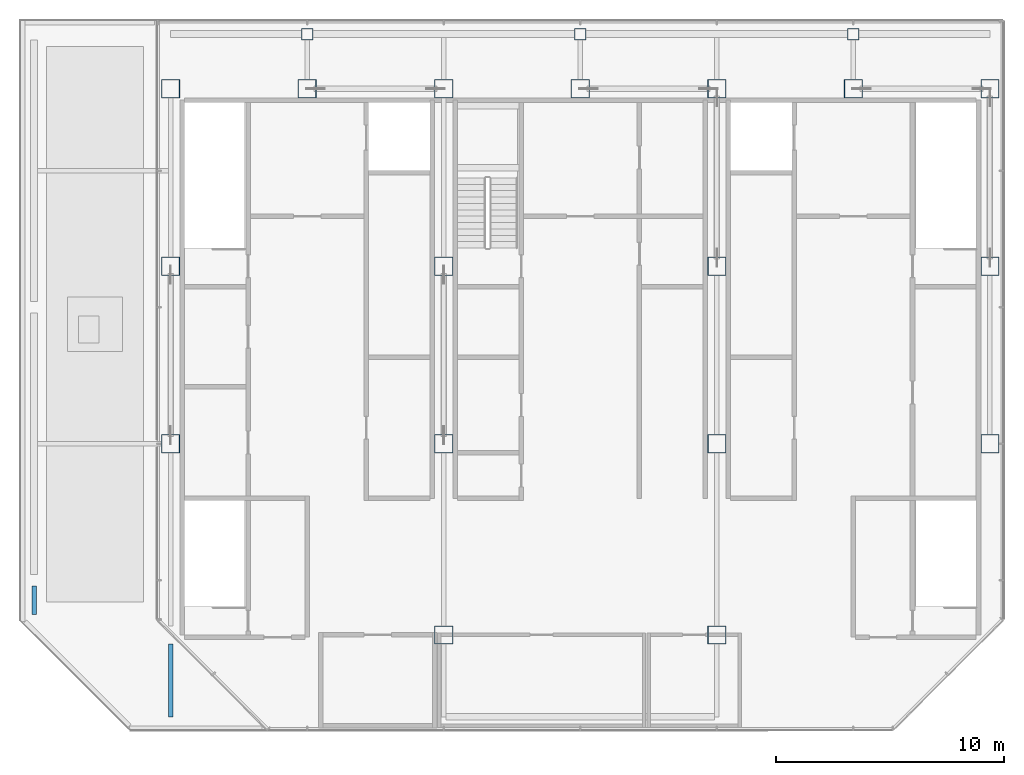
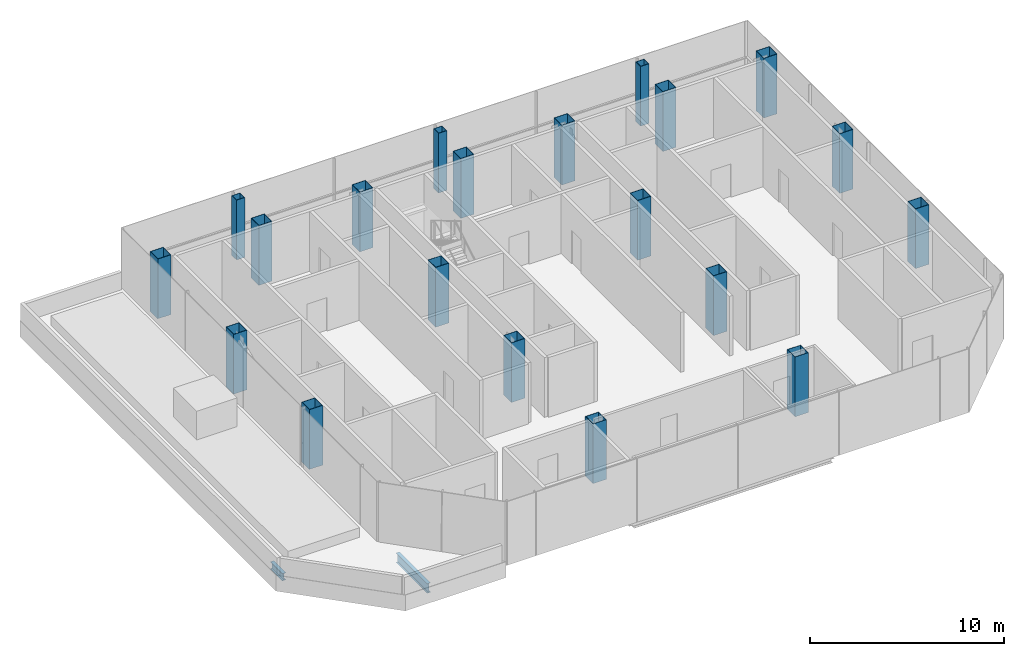
# One storey, part 1 of 12: 20 columns, 2 beams.
"""IFC4 building model written with IfcOpenShell, lengths in metres."""

from ifc_helpers import new_model, si_unit, direction, frame, origin, origin_2d, place, context, subcontext, project, spatial, hollow_rectangle, i_section, extrude, material, material_profile, profile_set, type_object, element, save


model = new_model("IFC4")

# Units and contexts
model_context = context("Model", 3, precision=1e-05, world=origin(), true_north=direction((0.0, 1.0)))
body_context = subcontext(model_context, "Body", "Model", "MODEL_VIEW")
ifc_project = project(units=[si_unit("LENGTHUNIT", "METRE"), si_unit("AREAUNIT", "SQUARE_METRE"), si_unit("VOLUMEUNIT", "CUBIC_METRE"), si_unit("PLANEANGLEUNIT", "RADIAN"), si_unit("MASSUNIT", "GRAM", prefix="KILO")], contexts=[model_context])

# Site, building, storey
site_placement = place(None, origin())
site = spatial("IfcSite", under=ifc_project, at=site_placement, CompositionType="ELEMENT")
building_placement = place(site_placement, origin())
building = spatial("IfcBuilding", under=site, at=building_placement, Name="Sorahane Residences", CompositionType="ELEMENT")
storey_placement = place(building_placement, frame((0.0, 0.0, 353.800048828125)))
storey = spatial("IfcBuildingStorey", under=building, at=storey_placement, Name="L84", CompositionType="ELEMENT", Elevation=353.800048828125)

# Columns
ifc_material_1 = material(Name="Steel Q355B", Category="steel")
ifc_material_profile_1 = material_profile(ifc_material_1, hollow_rectangle(XDim=0.5, YDim=0.5, WallThickness=0.02490234375, at=origin_2d()), Name="BOX 500x500x25")
ifc_profile_set_1 = profile_set([ifc_material_profile_1], Name="Steel Q355B")
column_type_1 = type_object("IfcColumnType", Name="Steel box column BOX 500x500x25 Q355B", PredefinedType="COLUMN", material=ifc_profile_set_1)
for number, where, z_axis, x_axis, name in (
    (1, (12.0, 48.0, 0.0), (0.0, 0.0, 1.0), (1.0, 0.0, 0.0), "Column L84 12/48"),
    (2, (24.0, 48.0, 0.0), (0.0, 0.0, 1.0), (1.0, 0.0, 0.0), "Column L84 24/48"),
    (3, (36.0, 48.0, 0.0), (0.0, 0.0, 1.0), (1.0, 0.0, 0.0), "Column L84 36/48"),
):
    element("IfcColumn", number, at=place(storey_placement, frame(where, z_axis=z_axis, x_axis=x_axis)), inside=storey, type_object=column_type_1, Name=name, PredefinedType="COLUMN", context=body_context, shape_type="SweptSolid", body=[
        extrude(hollow_rectangle(XDim=0.5, YDim=0.5, WallThickness=0.02490234375, at=origin_2d()), origin(), (0.0, 0.0, 1.0), 3.75),
    ])
ifc_material_2 = material(Name="Steel Q355B", Category="steel")
ifc_material_profile_2 = material_profile(ifc_material_2, hollow_rectangle(XDim=0.800048828125, YDim=0.800048828125, WallThickness=0.02490234375, at=origin_2d()), Name="BOX 800x800x25")
ifc_profile_set_2 = profile_set([ifc_material_profile_2], Name="Steel Q355B")
column_type_2 = type_object("IfcColumnType", Name="Steel box column BOX 800x800x25 Q355B", PredefinedType="COLUMN", material=ifc_profile_set_2)
for number, where, z_axis, x_axis, name in (
    (4, (6.0, 30.0, 0.0), (0.0, 0.0, 1.0), (1.0, 0.0, 0.0), "Column L84 6/30"),
    (5, (6.0, 37.800048828125, 0.0), (0.0, 0.0, 1.0), (1.0, 0.0, 0.0), "Column L84 6/37.8"),
    (6, (6.0, 45.60009765625, 0.0), (0.0, 0.0, 1.0), (1.0, 0.0, 0.0), "Column L84 6/45.6"),
    (7, (12.0, 45.60009765625, 0.0), (0.0, 0.0, 1.0), (1.0, 0.0, 0.0), "Column L84 12/45.6"),
    (8, (18.0, 21.60009765625, 0.0), (0.0, 0.0, 1.0), (1.0, 0.0, 0.0), "Column L84 18/21.6"),
    (9, (18.0, 30.0, 0.0), (0.0, 0.0, 1.0), (1.0, 0.0, 0.0), "Column L84 18/30"),
    (10, (18.0, 37.800048828125, 0.0), (0.0, 0.0, 1.0), (1.0, 0.0, 0.0), "Column L84 18/37.8"),
    (11, (18.0, 45.60009765625, 0.0), (0.0, 0.0, 1.0), (1.0, 0.0, 0.0), "Column L84 18/45.6"),
    (12, (24.0, 45.60009765625, 0.0), (0.0, 0.0, 1.0), (1.0, 0.0, 0.0), "Column L84 24/45.6"),
    (13, (30.0, 21.60009765625, 0.0), (0.0, 0.0, 1.0), (1.0, 0.0, 0.0), "Column L84 30/21.6"),
    (14, (30.0, 30.0, 0.0), (0.0, 0.0, 1.0), (1.0, 0.0, 0.0), "Column L84 30/30"),
    (15, (30.0, 37.800048828125, 0.0), (0.0, 0.0, 1.0), (1.0, 0.0, 0.0), "Column L84 30/37.8"),
    (16, (30.0, 45.60009765625, 0.0), (0.0, 0.0, 1.0), (1.0, 0.0, 0.0), "Column L84 30/45.6"),
    (17, (36.0, 45.60009765625, 0.0), (0.0, 0.0, 1.0), (1.0, 0.0, 0.0), "Column L84 36/45.6"),
    (18, (42.0, 30.0, 0.0), (0.0, 0.0, 1.0), (1.0, 0.0, 0.0), "Column L84 42/30"),
    (19, (42.0, 37.800048828125, 0.0), (0.0, 0.0, 1.0), (1.0, 0.0, 0.0), "Column L84 42/37.8"),
    (20, (42.0, 45.60009765625, 0.0), (0.0, 0.0, 1.0), (1.0, 0.0, 0.0), "Column L84 42/45.6"),
):
    element("IfcColumn", number, at=place(storey_placement, frame(where, z_axis=z_axis, x_axis=x_axis)), inside=storey, type_object=column_type_2, Name=name, PredefinedType="COLUMN", context=body_context, shape_type="SweptSolid", body=[
        extrude(hollow_rectangle(XDim=0.800048828125, YDim=0.800048828125, WallThickness=0.02490234375, at=origin_2d()), origin(), (0.0, 0.0, 1.0), 3.75),
    ])

# Beams
ifc_material_3 = material(Name="Steel Q355B", Category="steel")
ifc_material_profile_3 = material_profile(ifc_material_3, i_section(OverallWidth=0.199951171875, OverallDepth=0.449951171875, WebThickness=0.009033203125, FlangeThickness=0.013916015625, FilletRadius=0.02001953125, at=origin_2d()), Name="HN 450x200x9x14")
ifc_profile_set_3 = profile_set([ifc_material_profile_3], Name="Steel Q355B")
beam_type_1 = type_object("IfcBeamType", Name="Steel floor beam HN 450x200x9x14 Q355B", PredefinedType="BEAM", material=ifc_profile_set_3)
beam_1_placement = place(storey_placement, frame((0.0, 22.5, -0.47509765625), z_axis=(0.0, 1.0, 0.0), x_axis=(-1.0, 0.0, 0.0)))
element("IfcBeam", 21, at=beam_1_placement, inside=storey, type_object=beam_type_1, Name="Beam L84 006", PredefinedType="BEAM", context=body_context, shape_type="SweptSolid", body=[
    extrude(i_section(OverallWidth=0.199951171875, OverallDepth=0.449951171875, WebThickness=0.009033203125, FlangeThickness=0.013916015625, FilletRadius=0.02001953125, at=origin_2d()), origin(), (0.0, 0.0, 1.0), 1.25),
])
ifc_material_4 = material(Name="Steel Q355B", Category="steel")
ifc_material_profile_4 = material_profile(ifc_material_4, i_section(OverallWidth=0.199951171875, OverallDepth=0.60009765625, WebThickness=0.010986328125, FlangeThickness=0.01708984375, FilletRadius=0.02392578125, at=origin_2d()), Name="HN 600x200x11x17")
ifc_profile_set_4 = profile_set([ifc_material_profile_4], Name="Steel Q355B")
beam_type_2 = type_object("IfcBeamType", Name="Steel floor beam HN 600x200x11x17 Q355B", PredefinedType="BEAM", material=ifc_profile_set_4)
beam_2_placement = place(storey_placement, frame((6.0, 18.0, -0.550048828125), z_axis=(0.0, 1.0, 0.0), x_axis=(-1.0, 0.0, 0.0)))
element("IfcBeam", 22, at=beam_2_placement, inside=storey, type_object=beam_type_2, Name="Beam L84 010", PredefinedType="BEAM", context=body_context, shape_type="SweptSolid", body=[
    extrude(i_section(OverallWidth=0.199951171875, OverallDepth=0.60009765625, WebThickness=0.010986328125, FlangeThickness=0.01708984375, FilletRadius=0.02392578125, at=origin_2d()), origin(), (0.0, 0.0, 1.0), 3.199951171875),
])

save(model, "model.ifc")
